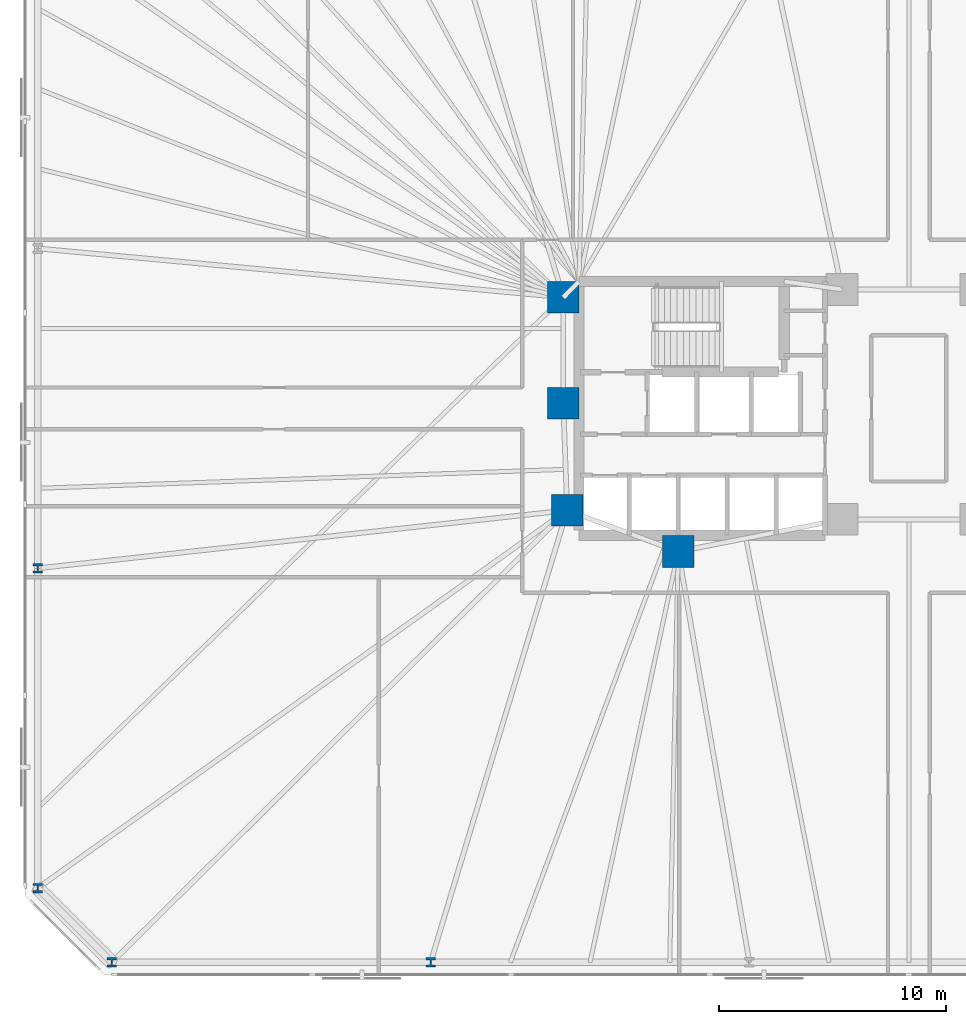
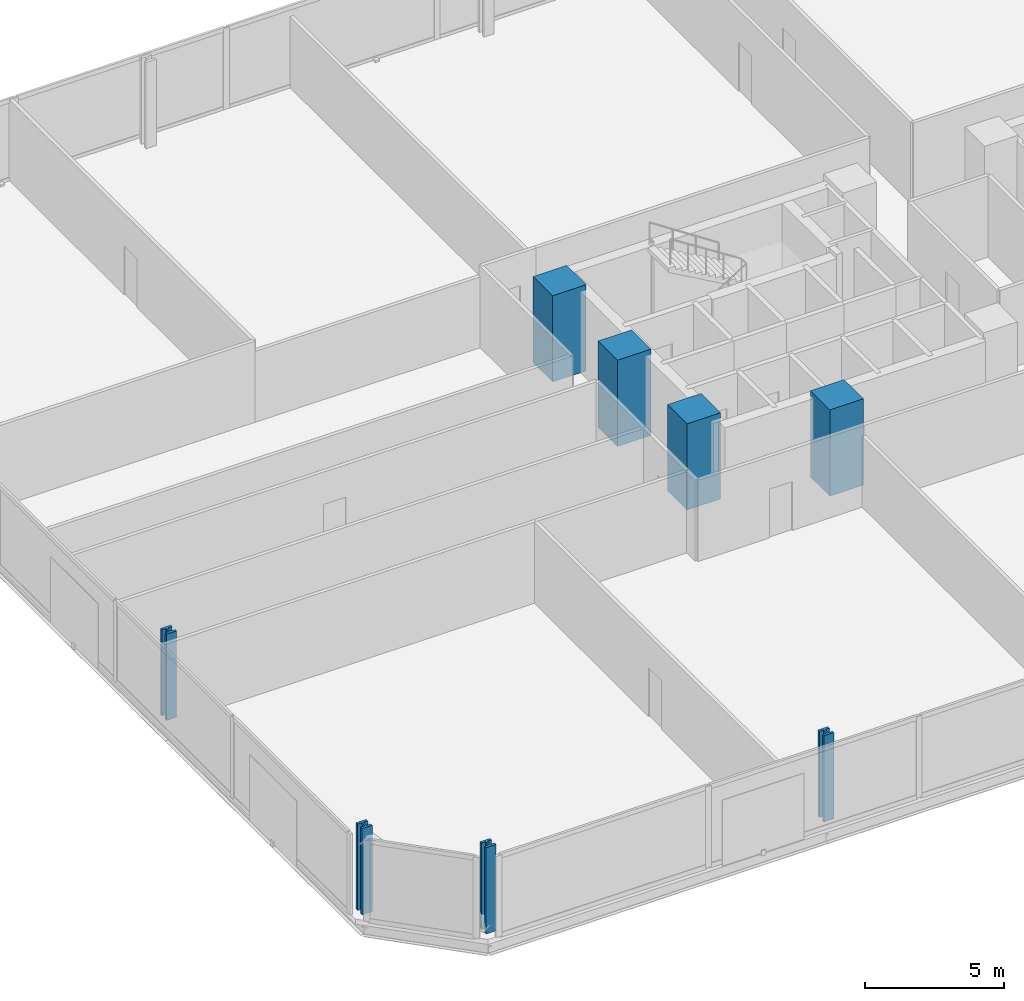
# One storey, part 1 of 17: 8 columns.
"""IFC4 building model written with IfcOpenShell, lengths in metres."""

from ifc_helpers import new_model, si_unit, direction, frame, origin, origin_2d, place, context, subcontext, project, spatial, rectangle, i_section, extrude, material, material_profile, profile_set, type_object, element, save


model = new_model("IFC4")

# Units and contexts
model_context = context("Model", 3, precision=1e-05, world=origin(), true_north=direction((0.0, 1.0)))
body_context = subcontext(model_context, "Body", "Model", "MODEL_VIEW")
ifc_project = project(units=[si_unit("LENGTHUNIT", "METRE"), si_unit("AREAUNIT", "SQUARE_METRE"), si_unit("VOLUMEUNIT", "CUBIC_METRE"), si_unit("PLANEANGLEUNIT", "RADIAN"), si_unit("MASSUNIT", "GRAM", prefix="KILO")], contexts=[model_context])

# Site, building, storey
site_placement = place(None, origin())
site = spatial("IfcSite", under=ifc_project, at=site_placement, CompositionType="ELEMENT")
building_placement = place(site_placement, origin())
building = spatial("IfcBuilding", under=site, at=building_placement, Name="Menara Jurai Vektor", CompositionType="ELEMENT")
storey_placement = place(building_placement, frame((0.0, 0.0, 18.0)))
storey = spatial("IfcBuildingStorey", under=building, at=storey_placement, Name="L03", CompositionType="ELEMENT", Elevation=18.0)

# Columns
ifc_material_1 = material(Name="Concrete C60/75", Category="concrete")
ifc_material_profile_1 = material_profile(ifc_material_1, rectangle(XDim=1.39990234375, YDim=1.39990234375, at=origin_2d()), Name="RC 1400x1400")
ifc_profile_set_1 = profile_set([ifc_material_profile_1], Name="Concrete C60/75")
column_type_1 = type_object("IfcColumnType", Name="STR-COL-RC1400", PredefinedType="COLUMN", material=ifc_profile_set_1)
for number, where, z_axis, x_axis, name in (
    (1, (-15.25, 4.89990234375, 0.0), (0.0, 0.0, 1.0), (1.0, 0.0, 0.0), "Core Spine Column CW-NW L03"),
    (2, (-15.25, 0.219970703125, 0.0), (0.0, 0.0, 1.0), (1.0, 0.0, 0.0), "Core Spine Column CW-WM L03"),
    (3, (-15.080078125, -4.5, 0.0), (0.0, 0.0, 1.0), (1.0, 0.0, 0.0), "Core Spine Column CW-SW L03"),
    (4, (-10.179931640625, -6.320068359375, 0.0), (0.0, 0.0, 1.0), (1.0, 0.0, 0.0), "Core Spine Column CW-SM L03"),
):
    element("IfcColumn", number, at=place(storey_placement, frame(where, z_axis=z_axis, x_axis=x_axis)), inside=storey, type_object=column_type_1, Name=name, PredefinedType="COLUMN", context=body_context, shape_type="SweptSolid", body=[
        extrude(rectangle(XDim=1.39990234375, YDim=1.39990234375, at=origin_2d()), origin(), (0.0, 0.0, 1.0), 3.800048828125),
    ])
ifc_material_2 = material(Name="Steel S460", Category="steel")
ifc_material_profile_2 = material_profile(ifc_material_2, i_section(OverallWidth=0.419921875, OverallDepth=0.430908203125, WebThickness=0.06494140625, FlangeThickness=0.10595703125, FilletRadius=0.014892578125, at=origin_2d()), Name="HD 400x900")
ifc_profile_set_2 = profile_set([ifc_material_profile_2], Name="Steel S460")
column_type_2 = type_object("IfcColumnType", Name="STR-EXO-BLK1", PredefinedType="COLUMN", material=ifc_profile_set_2)
for number, where, z_axis, x_axis, name in (
    (5, (-35.177734375, -24.449951171875, 0.0), (0.0, 0.0, 1.0), (1.0, 0.0, 0.0), "Exoskeleton Column BLK1-S1 L03"),
    (6, (-21.106689453125, -24.449951171875, 0.0), (0.0, 0.0, 1.0), (1.0, 0.0, 0.0), "Exoskeleton Column BLK1-S2 L03"),
    (7, (-38.449951171875, -7.059326171875, 0.0), (0.0, 0.0, 1.0), (1.0, 0.0, 0.0), "Exoskeleton Column BLK1-W3 L03"),
    (8, (-38.449951171875, -21.177734375, 0.0), (0.0, 0.0, 1.0), (1.0, 0.0, 0.0), "Exoskeleton Column BLK1-W4 L03"),
):
    element("IfcColumn", number, at=place(storey_placement, frame(where, z_axis=z_axis, x_axis=x_axis)), inside=storey, type_object=column_type_2, Name=name, PredefinedType="COLUMN", context=body_context, shape_type="SweptSolid", body=[
        extrude(i_section(OverallWidth=0.419921875, OverallDepth=0.430908203125, WebThickness=0.06494140625, FlangeThickness=0.10595703125, FilletRadius=0.014892578125, at=origin_2d()), origin(), (0.0, 0.0, 1.0), 3.800048828125),
    ])

save(model, "model.ifc")
